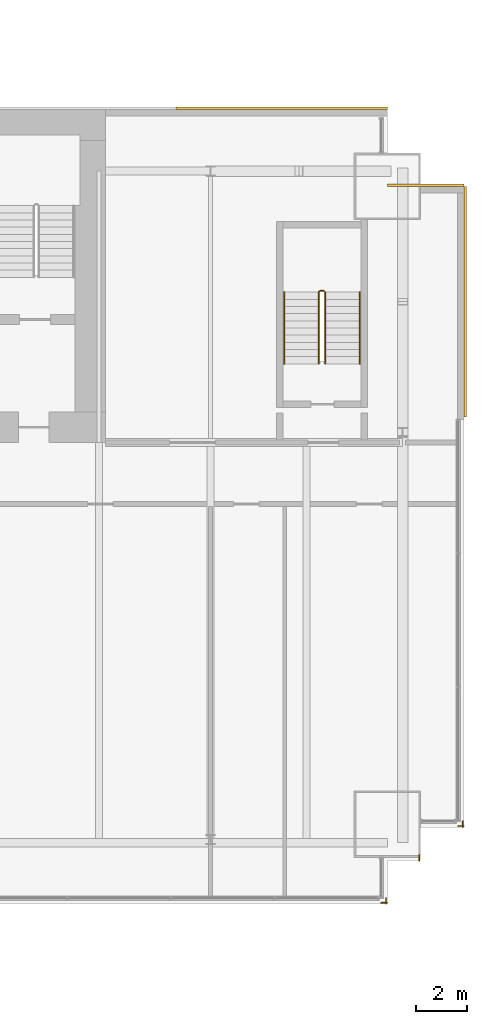
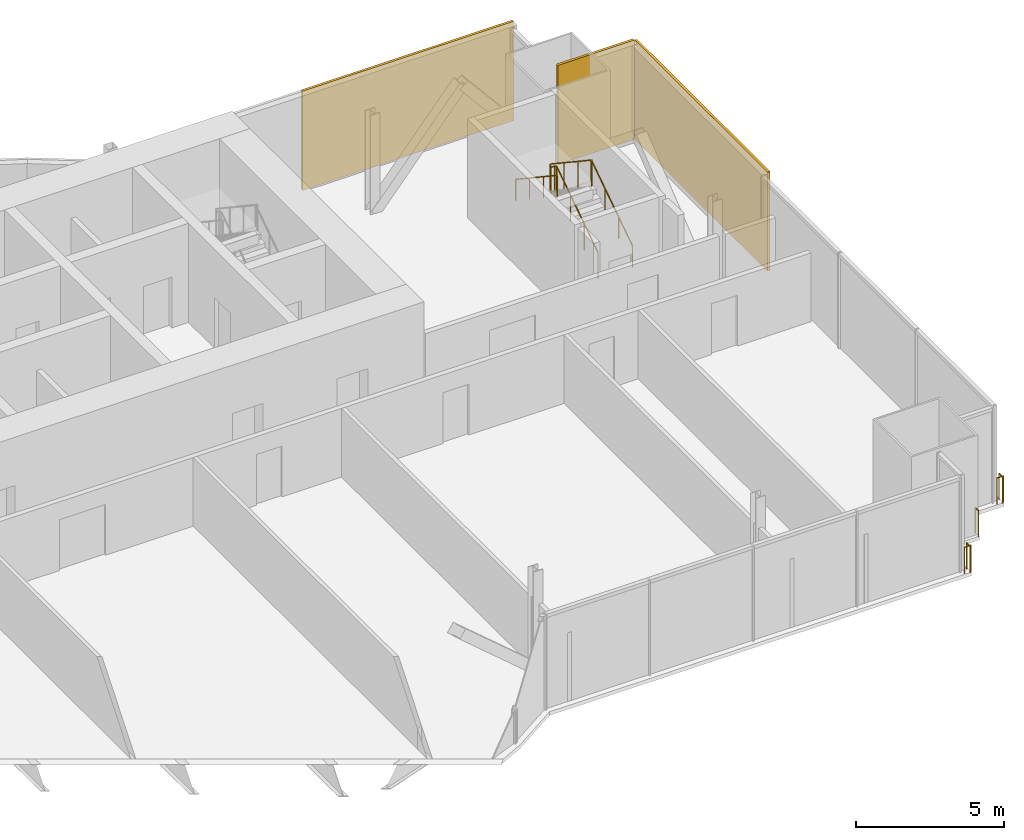
# One storey, part 20 of 20: 6 railings, 3 coverings.
"""IFC4 building model written with IfcOpenShell, lengths in metres."""

from ifc_helpers import new_model, si_unit, direction, frame, origin, origin_2d, place, context, subcontext, project, spatial, rectangle, circle, extrude, material, layer, layer_set, type_object, element, save


model = new_model("IFC4")

# Units and contexts
model_context = context("Model", 3, precision=1e-05, world=origin(), true_north=direction((0.0, 1.0)))
body_context = subcontext(model_context, "Body", "Model", "MODEL_VIEW")
ifc_project = project(units=[si_unit("LENGTHUNIT", "METRE"), si_unit("AREAUNIT", "SQUARE_METRE"), si_unit("VOLUMEUNIT", "CUBIC_METRE"), si_unit("PLANEANGLEUNIT", "RADIAN"), si_unit("MASSUNIT", "GRAM", prefix="KILO")], contexts=[model_context])

# Site, building, storey
site_placement = place(None, origin())
site = spatial("IfcSite", under=ifc_project, at=site_placement, CompositionType="ELEMENT")
building_placement = place(site_placement, origin())
building = spatial("IfcBuilding", under=site, at=building_placement, Name="Bicima Exchange Tower", CompositionType="ELEMENT")
storey_placement = place(building_placement, frame((0.0, 0.0, 227.800048828125)))
storey = spatial("IfcBuildingStorey", under=building, at=storey_placement, Name="L51", CompositionType="ELEMENT", Elevation=227.800048828125)

# Coverings
ifc_material_1 = material(Name="Bronze metal cladding")
ifc_layer_1 = layer(ifc_material_1, 0.004)
ifc_material_2 = material(Name="Ventilated cavity")
ifc_layer_2 = layer(ifc_material_2, 0.06)
ifc_material_3 = material(Name="Galvanised steel rail and mineral wool", Category="steel")
ifc_layer_3 = layer(ifc_material_3, 0.036)
ifc_layer_set = layer_set([ifc_layer_1, ifc_layer_2, ifc_layer_3], Name="Ventilated cavity")
covering_type = type_object("IfcCoveringType", Name="Bronze metal cladding panel 100", PredefinedType="CLADDING", material=ifc_layer_set)
covering_1_placement = place(storey_placement, frame((28.875, 0.050048828125, -0.150146484375), z_axis=(0.0, 0.0, 1.0), x_axis=(-1.0, 0.0, 0.0)))
element("IfcCovering", 1, at=covering_1_placement, inside=storey, type_object=covering_type, Name="Bronze cladding L51 1.1", PredefinedType="CLADDING", context=body_context, shape_type="SweptSolid", body=[
    extrude(rectangle(XDim=8.25, YDim=0.10009765625, at=origin_2d()), origin(), (0.0, 0.0, 1.0), 4.10009765625),
])
covering_2_placement = place(storey_placement, frame((36.050048828125, -7.5, -0.150146484375), z_axis=(0.0, 0.0, 1.0), x_axis=(0.0, 1.0, 0.0)))
element("IfcCovering", 2, at=covering_2_placement, inside=storey, type_object=covering_type, Name="Bronze cladding L51 50.1", PredefinedType="CLADDING", context=body_context, shape_type="SweptSolid", body=[
    extrude(rectangle(XDim=9.0, YDim=0.10009765625, at=origin_2d()), origin(), (0.0, 0.0, 1.0), 4.10009765625),
])
covering_3_placement = place(storey_placement, frame((34.5, -2.949951171875, -0.150146484375), z_axis=(0.0, 0.0, 1.0), x_axis=(-1.0, 0.0, 0.0)))
element("IfcCovering", 3, at=covering_3_placement, inside=storey, type_object=covering_type, Name="Bronze cladding L51 51.1", PredefinedType="CLADDING", context=body_context, shape_type="SweptSolid", body=[
    extrude(rectangle(XDim=3.0, YDim=0.10009765625, at=origin_2d()), origin(), (0.0, 0.0, 1.0), 4.10009765625),
])

# Railings
ifc_material_4 = material(Name="Stainless steel and bonded safety glass", Category="steel")
railing_type_1 = type_object("IfcRailingType", Name="Edge guard 1100", PredefinedType="GUARDRAIL", material=ifc_material_4)
railing_1_placement = place(storey_placement, frame((35.949951171875, -27.77197265625, 0.0)))
element("IfcRailing", 4, at=railing_1_placement, inside=storey, type_object=railing_type_1, Name="Edge guard L51 262", PredefinedType="GUARDRAIL", context=body_context, shape_type="SweptSolid", body=[
    extrude(circle(Radius=0.02392578125, at=origin_2d()), frame((0.0, 0.0, 1.076171875), z_axis=(0.0, -1.0, 0.0), x_axis=(1.0, 0.0, 0.0)), (0.0, 0.0, 1.0), 0.248046875),
    extrude(circle(Radius=0.02392578125, at=origin_2d()), frame((0.0, -0.248046875, 1.076171875), z_axis=(0.707106781187, 0.707106781187, 0.0), x_axis=(-0.707106781187, 0.707106781187, 0.0)), (0.0, 0.0, 1.0), 0.07080078125),
    extrude(circle(Radius=0.02392578125, at=origin_2d()), frame((0.050048828125, -0.197998046875, 1.076171875), z_axis=(-1.0, 0.0, 0.0), x_axis=(0.0, -1.0, 0.0)), (0.0, 0.0, 1.0), 0.242919921875),
    extrude(circle(Radius=0.02099609375, at=origin_2d()), origin(), (0.0, 0.0, 1.0), 1.052001953125),
    extrude(circle(Radius=0.02099609375, at=origin_2d()), frame((0.0, -0.248046875, 0.0)), (0.0, 0.0, 1.0), 1.052001953125),
    extrude(circle(Radius=0.02099609375, at=origin_2d()), frame((0.050048828125, -0.197998046875, 0.0)), (0.0, 0.0, 1.0), 1.052001953125),
    extrude(circle(Radius=0.02099609375, at=origin_2d()), frame((-0.19287109375, -0.197998046875, 0.0)), (0.0, 0.0, 1.0), 1.052001953125),
])
railing_2_placement = place(storey_placement, frame((34.25, -29.10302734375, 0.0)))
element("IfcRailing", 5, at=railing_2_placement, inside=storey, type_object=railing_type_1, Name="Edge guard L51 263", PredefinedType="GUARDRAIL", context=body_context, shape_type="SweptSolid", body=[
    extrude(circle(Radius=0.02392578125, at=origin_2d()), frame((0.0, 0.0, 1.076171875), z_axis=(0.0, -1.0, 0.0), x_axis=(1.0, 0.0, 0.0)), (0.0, 0.0, 1.0), 0.217041015625),
    extrude(circle(Radius=0.02099609375, at=origin_2d()), origin(), (0.0, 0.0, 1.0), 1.052001953125),
    extrude(circle(Radius=0.02099609375, at=origin_2d()), frame((0.0, -0.217041015625, 0.0)), (0.0, 0.0, 1.0), 1.052001953125),
])
railing_3_placement = place(storey_placement, frame((32.949951171875, -30.777099609375, 0.0)))
element("IfcRailing", 6, at=railing_3_placement, inside=storey, type_object=railing_type_1, Name="Edge guard L51 264", PredefinedType="GUARDRAIL", context=body_context, shape_type="SweptSolid", body=[
    extrude(circle(Radius=0.02392578125, at=origin_2d()), frame((0.0, 0.0, 1.076171875), z_axis=(0.0, -1.0, 0.0), x_axis=(1.0, 0.0, 0.0)), (0.0, 0.0, 1.0), 0.242919921875),
    extrude(circle(Radius=0.02392578125, at=origin_2d()), frame((0.0, -0.242919921875, 1.076171875), z_axis=(0.707106781187, 0.707106781187, 0.0), x_axis=(-0.707106781187, 0.707106781187, 0.0)), (0.0, 0.0, 1.0), 0.07080078125),
    extrude(circle(Radius=0.02392578125, at=origin_2d()), frame((0.050048828125, -0.19287109375, 1.076171875), z_axis=(-1.0, 0.0, 0.0), x_axis=(0.0, -1.0, 0.0)), (0.0, 0.0, 1.0), 0.25),
    extrude(circle(Radius=0.02099609375, at=origin_2d()), origin(), (0.0, 0.0, 1.0), 1.052001953125),
    extrude(circle(Radius=0.02099609375, at=origin_2d()), frame((0.0, -0.242919921875, 0.0)), (0.0, 0.0, 1.0), 1.052001953125),
    extrude(circle(Radius=0.02099609375, at=origin_2d()), frame((0.050048828125, -0.19287109375, 0.0)), (0.0, 0.0, 1.0), 1.052001953125),
    extrude(circle(Radius=0.02099609375, at=origin_2d()), frame((-0.199951171875, -0.19287109375, 0.0)), (0.0, 0.0, 1.0), 1.052001953125),
])
ifc_material_5 = material(Name="Stainless steel", Category="steel")
railing_type_2 = type_object("IfcRailingType", Name="Stair guard 1100", PredefinedType="GUARDRAIL", material=ifc_material_5)
railing_4_placement = place(storey_placement, frame((30.574951171875, -9.925048828125, 0.186279296875)))
element("IfcRailing", 7, at=railing_4_placement, inside=storey, type_object=railing_type_2, Name="L51 ST-EE stair guard 1", PredefinedType="GUARDRAIL", context=body_context, shape_type="SweptSolid", body=[
    extrude(circle(Radius=0.02392578125, at=origin_2d()), frame((0.0, 0.0, 1.076171875), z_axis=(0.0, 0.832452072856, 0.554097055034), x_axis=(-1.0, 0.0, 0.0)), (0.0, 0.0, 1.0), 3.363525390625),
    extrude(circle(Radius=0.02392578125, at=origin_2d()), frame((0.0, 2.800048828125, 2.93994140625), z_axis=(-0.707106781187, 0.707106781187, 0.0), x_axis=(-0.707106781187, -0.707106781187, 0.0)), (0.0, 0.0, 1.0), 0.07080078125),
    extrude(circle(Radius=0.02392578125, at=origin_2d()), frame((-0.050048828125, 2.85009765625, 2.93994140625), z_axis=(-1.0, 0.0, 0.0), x_axis=(0.0, -1.0, 0.0)), (0.0, 0.0, 1.0), 0.14990234375),
    extrude(circle(Radius=0.02392578125, at=origin_2d()), frame((-0.199951171875, 2.85009765625, 2.93994140625), z_axis=(-0.251157038772, -0.251157038772, 0.934794246747), x_axis=(0.707106781187, -0.707106781187, 0.0)), (0.0, 0.0, 1.0), 0.19921875),
    extrude(circle(Radius=0.02392578125, at=origin_2d()), frame((-0.25, 2.800048828125, 3.1259765625), z_axis=(0.0, -0.832485552168, 0.554046753832), x_axis=(1.0, 0.0, 0.0)), (0.0, 0.0, 1.0), 3.363525390625),
    extrude(circle(Radius=0.02099609375, at=origin_2d()), origin(), (0.0, 0.0, 1.0), 1.052001953125),
    extrude(circle(Radius=0.02099609375, at=origin_2d()), frame((0.0, 0.933349609375, 0.621337890625)), (0.0, 0.0, 1.0), 1.052001953125),
    extrude(circle(Radius=0.02099609375, at=origin_2d()), frame((0.0, 1.86669921875, 1.242431640625)), (0.0, 0.0, 1.0), 1.052001953125),
    extrude(circle(Radius=0.02099609375, at=origin_2d()), frame((0.0, 2.800048828125, 1.86376953125)), (0.0, 0.0, 1.0), 1.052001953125),
    extrude(circle(Radius=0.02099609375, at=origin_2d()), frame((-0.050048828125, 2.85009765625, 1.86376953125)), (0.0, 0.0, 1.0), 1.052001953125),
    extrude(circle(Radius=0.02099609375, at=origin_2d()), frame((-0.199951171875, 2.85009765625, 1.86376953125)), (0.0, 0.0, 1.0), 1.052001953125),
    extrude(circle(Radius=0.02099609375, at=origin_2d()), frame((-0.25, 2.800048828125, 2.050048828125)), (0.0, 0.0, 1.0), 1.052001953125),
    extrude(circle(Radius=0.02099609375, at=origin_2d()), frame((-0.25, 1.86669921875, 2.671142578125)), (0.0, 0.0, 1.0), 1.052001953125),
    extrude(circle(Radius=0.02099609375, at=origin_2d()), frame((-0.25, 0.933349609375, 3.29248046875)), (0.0, 0.0, 1.0), 1.052001953125),
    extrude(circle(Radius=0.02099609375, at=origin_2d()), frame((-0.25, 0.0, 3.91357421875)), (0.0, 0.0, 1.0), 1.052001953125),
])
railing_type_3 = type_object("IfcRailingType", Name="Stair handrail 900", PredefinedType="HANDRAIL", material=ifc_material_5)
railing_5_placement = place(storey_placement, frame((31.925048828125, -9.925048828125, 0.186279296875)))
element("IfcRailing", 8, at=railing_5_placement, inside=storey, type_object=railing_type_3, Name="L51 ST-EE stair handrail 1", PredefinedType="HANDRAIL", context=body_context, shape_type="SweptSolid", body=[
    extrude(circle(Radius=0.02392578125, at=origin_2d()), frame((0.0, 0.0, 0.8759765625), z_axis=(0.0, 0.832452072856, 0.554097055034), x_axis=(-1.0, 0.0, 0.0)), (0.0, 0.0, 1.0), 3.363525390625),
    extrude(circle(Radius=0.02099609375, at=origin_2d()), origin(), (0.0, 0.0, 1.0), 0.851806640625),
    extrude(circle(Radius=0.02099609375, at=origin_2d()), frame((0.0, 0.933349609375, 0.621337890625)), (0.0, 0.0, 1.0), 0.851806640625),
    extrude(circle(Radius=0.02099609375, at=origin_2d()), frame((0.0, 1.86669921875, 1.242431640625)), (0.0, 0.0, 1.0), 0.851806640625),
    extrude(circle(Radius=0.02099609375, at=origin_2d()), frame((0.0, 2.800048828125, 1.86376953125)), (0.0, 0.0, 1.0), 0.851806640625),
])
railing_6_placement = place(storey_placement, frame((28.97509765625, -7.125, 2.276611328125)))
element("IfcRailing", 9, at=railing_6_placement, inside=storey, type_object=railing_type_3, Name="L51 ST-EE stair handrail 2", PredefinedType="HANDRAIL", context=body_context, shape_type="SweptSolid", body=[
    extrude(circle(Radius=0.02392578125, at=origin_2d()), frame((0.0, 0.0, 0.8759765625), z_axis=(0.0, -0.832452072856, 0.554097055034), x_axis=(1.0, 0.0, 0.0)), (0.0, 0.0, 1.0), 3.363525390625),
    extrude(circle(Radius=0.02099609375, at=origin_2d()), origin(), (0.0, 0.0, 1.0), 0.851806640625),
    extrude(circle(Radius=0.02099609375, at=origin_2d()), frame((0.0, -0.933349609375, 0.621337890625)), (0.0, 0.0, 1.0), 0.851806640625),
    extrude(circle(Radius=0.02099609375, at=origin_2d()), frame((0.0, -1.86669921875, 1.242431640625)), (0.0, 0.0, 1.0), 0.851806640625),
    extrude(circle(Radius=0.02099609375, at=origin_2d()), frame((0.0, -2.800048828125, 1.86376953125)), (0.0, 0.0, 1.0), 0.851806640625),
])

save(model, "model.ifc")
